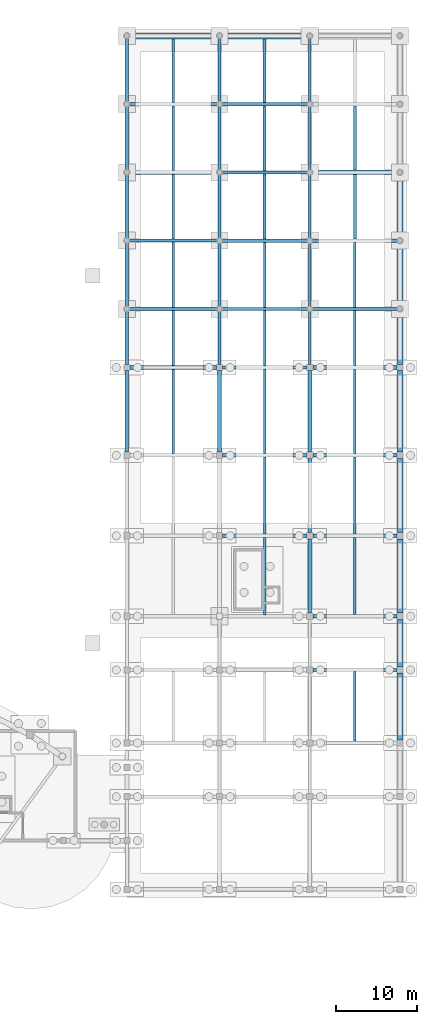
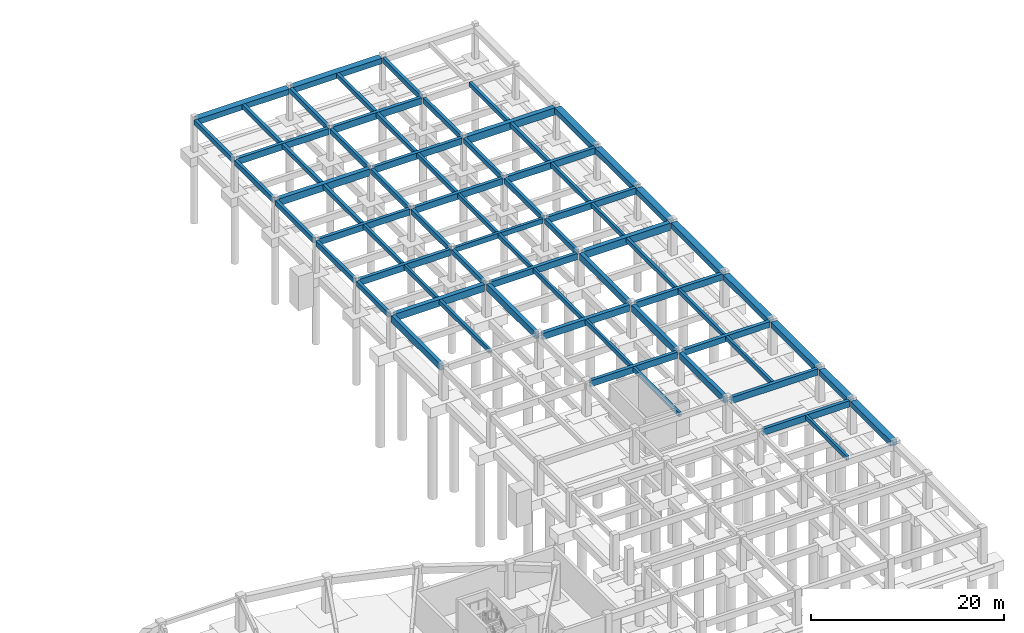
# One storey, part 13 of 28: 72 beams.
"""IFC4 building model written with IfcOpenShell, lengths in metres."""

from ifc_helpers import new_model, si_unit, direction, frame, origin, origin_2d, place, context, subcontext, project, spatial, rectangle, extrude, material, material_profile, profile_set, type_object, element, save


model = new_model("IFC4")

# Units and contexts
model_context = context("Model", 3, precision=1e-05, world=origin(), true_north=direction((0.0, 1.0)))
body_context = subcontext(model_context, "Body", "Model", "MODEL_VIEW")
ifc_project = project(units=[si_unit("LENGTHUNIT", "METRE"), si_unit("AREAUNIT", "SQUARE_METRE"), si_unit("VOLUMEUNIT", "CUBIC_METRE"), si_unit("PLANEANGLEUNIT", "RADIAN"), si_unit("MASSUNIT", "GRAM", prefix="KILO")], contexts=[model_context])

# Site, building, storey
site_placement = place(None, origin())
site = spatial("IfcSite", under=ifc_project, at=site_placement, CompositionType="ELEMENT")
building_placement = place(site_placement, origin())
building = spatial("IfcBuilding", under=site, at=building_placement, Name="Miralva Faculty of Natural Sciences", CompositionType="ELEMENT")
storey_placement = place(building_placement, frame((0.0, 0.0, -4.5)))
storey = spatial("IfcBuildingStorey", under=building, at=storey_placement, Name="B1", CompositionType="ELEMENT", Elevation=-4.5)

# Beams
ifc_material = material(Name="Concrete C40/50", Category="concrete")
ifc_material_profile_1 = material_profile(ifc_material, rectangle(XDim=0.449951171875, YDim=0.85009765625, at=origin_2d()), Name="RC 450x850")
ifc_profile_set_1 = profile_set([ifc_material_profile_1], Name="Concrete C40/50")
beam_type_1 = type_object("IfcBeamType", Name="BM-B01", PredefinedType="BEAM", material=ifc_profile_set_1)
for number, where, z_axis, x_axis, name in (
    (1, (133.800048828125, 65.77490234375, 3.794921875), (0.0, 1.0, 0.0), (-1.0, 0.0, 0.0), "Girder NS B1-178"),
    (2, (145.199951171875, 65.77490234375, 3.794921875), (0.0, 1.0, 0.0), (-1.0, 0.0, 0.0), "Girder NS B1-190"),
):
    element("IfcBeam", number, at=place(storey_placement, frame(where, z_axis=z_axis, x_axis=x_axis)), inside=storey, type_object=beam_type_1, Name=name, PredefinedType="BEAM", context=body_context, shape_type="SweptSolid", body=[
        extrude(rectangle(XDim=0.449951171875, YDim=0.85009765625, at=origin_2d()), origin(), (0.0, 0.0, 1.0), 10.050048828125),
    ])
for number, where, z_axis, x_axis, name in (
    (3, (156.300048828125, 45.97509765625, 3.794921875), (0.0, 1.0, 0.0), (-1.0, 0.0, 0.0), "Girder NS B1-200"),
    (4, (156.300048828125, 55.875, 3.794921875), (0.0, 1.0, 0.0), (-1.0, 0.0, 0.0), "Girder NS B1-201"),
):
    element("IfcBeam", number, at=place(storey_placement, frame(where, z_axis=z_axis, x_axis=x_axis)), inside=storey, type_object=beam_type_1, Name=name, PredefinedType="BEAM", context=body_context, shape_type="SweptSolid", body=[
        extrude(rectangle(XDim=0.449951171875, YDim=0.85009765625, at=origin_2d()), origin(), (0.0, 0.0, 1.0), 9.14990234375),
    ])
beam_1_placement = place(storey_placement, frame((156.300048828125, 65.77490234375, 3.794921875), z_axis=(0.0, 1.0, 0.0), x_axis=(-1.0, 0.0, 0.0)))
element("IfcBeam", 5, at=beam_1_placement, inside=storey, type_object=beam_type_1, Name="Girder NS B1-202", PredefinedType="BEAM", context=body_context, shape_type="SweptSolid", body=[
    extrude(rectangle(XDim=0.449951171875, YDim=0.85009765625, at=origin_2d()), origin(), (0.0, 0.0, 1.0), 10.050048828125),
])
ifc_material_profile_2 = material_profile(ifc_material, rectangle(XDim=0.39990234375, YDim=0.800048828125, at=origin_2d()), Name="RC 400x800")
ifc_profile_set_2 = profile_set([ifc_material_profile_2], Name="Concrete C40/50")
beam_type_2 = type_object("IfcBeamType", Name="BM-B02", PredefinedType="BEAM", material=ifc_profile_set_2)
for number, where, z_axis, x_axis, name in (
    (6, (156.675048828125, 39.0, 3.820068359375), (1.0, 0.0, 0.0), (0.0, 1.0, 0.0), "Girder EW B1-44"),
    (7, (156.675048828125, 45.60009765625, 3.820068359375), (1.0, 0.0, 0.0), (0.0, 1.0, 0.0), "Girder EW B1-50"),
):
    element("IfcBeam", number, at=place(storey_placement, frame(where, z_axis=z_axis, x_axis=x_axis)), inside=storey, type_object=beam_type_2, Name=name, PredefinedType="BEAM", context=body_context, shape_type="SweptSolid", body=[
        extrude(rectangle(XDim=0.39990234375, YDim=0.800048828125, at=origin_2d()), origin(), (0.0, 0.0, 1.0), 10.349853515625),
    ])
beam_2_placement = place(storey_placement, frame((145.574951171875, 55.5, 3.820068359375), z_axis=(1.0, 0.0, 0.0), x_axis=(0.0, 1.0, 0.0)))
element("IfcBeam", 8, at=beam_2_placement, inside=storey, type_object=beam_type_2, Name="Girder EW B1-54", PredefinedType="BEAM", context=body_context, shape_type="SweptSolid", body=[
    extrude(rectangle(XDim=0.39990234375, YDim=0.800048828125, at=origin_2d()), origin(), (0.0, 0.0, 1.0), 10.35009765625),
])
beam_3_placement = place(storey_placement, frame((156.675048828125, 65.39990234375, 3.820068359375), z_axis=(1.0, 0.0, 0.0), x_axis=(0.0, 1.0, 0.0)))
element("IfcBeam", 9, at=beam_3_placement, inside=storey, type_object=beam_type_2, Name="Girder EW B1-60", PredefinedType="BEAM", context=body_context, shape_type="SweptSolid", body=[
    extrude(rectangle(XDim=0.39990234375, YDim=0.800048828125, at=origin_2d()), origin(), (0.0, 0.0, 1.0), 10.349853515625),
])
beam_4_placement = place(storey_placement, frame((145.574951171875, 76.199951171875, 3.739990234375), z_axis=(1.0, 0.0, 0.0), x_axis=(0.0, 1.0, 0.0)))
element("IfcBeam", 10, at=beam_4_placement, inside=storey, type_object=beam_type_2, Name="Girder EW B1-64", PredefinedType="BEAM", context=body_context, shape_type="SweptSolid", body=[
    extrude(rectangle(XDim=0.39990234375, YDim=0.800048828125, at=origin_2d()), origin(), (0.0, 0.0, 1.0), 10.35009765625),
])
beam_5_placement = place(storey_placement, frame((134.074951171875, 83.39990234375, 3.739990234375), z_axis=(1.0, 0.0, 0.0), x_axis=(0.0, 1.0, 0.0)))
element("IfcBeam", 11, at=beam_5_placement, inside=storey, type_object=beam_type_2, Name="Girder EW B1-68", PredefinedType="BEAM", context=body_context, shape_type="SweptSolid", body=[
    extrude(rectangle(XDim=0.39990234375, YDim=0.800048828125, at=origin_2d()), origin(), (0.0, 0.0, 1.0), 10.85009765625),
])
beam_6_placement = place(storey_placement, frame((156.574951171875, 83.39990234375, 3.739990234375), z_axis=(1.0, 0.0, 0.0), x_axis=(0.0, 1.0, 0.0)))
element("IfcBeam", 12, at=beam_6_placement, inside=storey, type_object=beam_type_2, Name="Girder EW B1-70", PredefinedType="BEAM", context=body_context, shape_type="SweptSolid", body=[
    extrude(rectangle(XDim=0.39990234375, YDim=0.800048828125, at=origin_2d()), origin(), (0.0, 0.0, 1.0), 10.550048828125),
])
for number, where, z_axis, x_axis, name in (
    (13, (145.47509765625, 91.800048828125, 3.739990234375), (1.0, 0.0, 0.0), (0.0, 1.0, 0.0), "Girder EW B1-74"),
    (14, (145.47509765625, 100.199951171875, 3.739990234375), (1.0, 0.0, 0.0), (0.0, 1.0, 0.0), "Girder EW B1-86"),
):
    element("IfcBeam", number, at=place(storey_placement, frame(where, z_axis=z_axis, x_axis=x_axis)), inside=storey, type_object=beam_type_2, Name=name, PredefinedType="BEAM", context=body_context, shape_type="SweptSolid", body=[
        extrude(rectangle(XDim=0.39990234375, YDim=0.800048828125, at=origin_2d()), origin(), (0.0, 0.0, 1.0), 10.5498046875),
    ])
beam_7_placement = place(storey_placement, frame((134.074951171875, 108.60009765625, 3.739990234375), z_axis=(1.0, 0.0, 0.0), x_axis=(0.0, 1.0, 0.0)))
element("IfcBeam", 15, at=beam_7_placement, inside=storey, type_object=beam_type_2, Name="Girder EW B1-96", PredefinedType="BEAM", context=body_context, shape_type="SweptSolid", body=[
    extrude(rectangle(XDim=0.39990234375, YDim=0.800048828125, at=origin_2d()), origin(), (0.0, 0.0, 1.0), 10.85009765625),
])
ifc_material_profile_3 = material_profile(ifc_material, rectangle(XDim=0.35009765625, YDim=0.64990234375, at=origin_2d()), Name="RC 350x650")
ifc_profile_set_3 = profile_set([ifc_material_profile_3], Name="Concrete C40/50")
beam_type_3 = type_object("IfcBeamType", Name="BM-B05", PredefinedType="BEAM", material=ifc_profile_set_3)
beam_8_placement = place(storey_placement, frame((133.800048828125, 76.574951171875, 3.81494140625), z_axis=(0.0, 1.0, 0.0), x_axis=(-1.0, 0.0, 0.0)))
element("IfcBeam", 16, at=beam_8_placement, inside=storey, type_object=beam_type_3, Name="Girder NS B1-179", PredefinedType="BEAM", context=body_context, shape_type="SweptSolid", body=[
    extrude(rectangle(XDim=0.35009765625, YDim=0.64990234375, at=origin_2d()), origin(), (0.0, 0.0, 1.0), 6.550048828125),
])
beam_9_placement = place(storey_placement, frame((133.800048828125, 83.675048828125, 3.81494140625), z_axis=(0.0, 1.0, 0.0), x_axis=(-1.0, 0.0, 0.0)))
element("IfcBeam", 17, at=beam_9_placement, inside=storey, type_object=beam_type_3, Name="Girder NS B1-180", PredefinedType="BEAM", context=body_context, shape_type="SweptSolid", body=[
    extrude(rectangle(XDim=0.35009765625, YDim=0.64990234375, at=origin_2d()), origin(), (0.0, 0.0, 1.0), 7.849853515625),
])
beam_10_placement = place(storey_placement, frame((133.800048828125, 92.074951171875, 3.81494140625), z_axis=(0.0, 1.0, 0.0), x_axis=(-1.0, 0.0, 0.0)))
element("IfcBeam", 18, at=beam_10_placement, inside=storey, type_object=beam_type_3, Name="Girder NS B1-181", PredefinedType="BEAM", context=body_context, shape_type="SweptSolid", body=[
    extrude(rectangle(XDim=0.35009765625, YDim=0.64990234375, at=origin_2d()), origin(), (0.0, 0.0, 1.0), 7.85009765625),
])
beam_11_placement = place(storey_placement, frame((133.800048828125, 100.47509765625, 3.81494140625), z_axis=(0.0, 1.0, 0.0), x_axis=(-1.0, 0.0, 0.0)))
element("IfcBeam", 19, at=beam_11_placement, inside=storey, type_object=beam_type_3, Name="Girder NS B1-182", PredefinedType="BEAM", context=body_context, shape_type="SweptSolid", body=[
    extrude(rectangle(XDim=0.35009765625, YDim=0.64990234375, at=origin_2d()), origin(), (0.0, 0.0, 1.0), 7.849853515625),
])
beam_12_placement = place(storey_placement, frame((133.800048828125, 108.875, 3.81494140625), z_axis=(0.0, 1.0, 0.0), x_axis=(-1.0, 0.0, 0.0)))
element("IfcBeam", 20, at=beam_12_placement, inside=storey, type_object=beam_type_3, Name="Girder NS B1-183", PredefinedType="BEAM", context=body_context, shape_type="SweptSolid", body=[
    extrude(rectangle(XDim=0.35009765625, YDim=0.64990234375, at=origin_2d()), origin(), (0.0, 0.0, 1.0), 7.85009765625),
])
beam_13_placement = place(storey_placement, frame((145.199951171875, 76.574951171875, 3.81494140625), z_axis=(0.0, 1.0, 0.0), x_axis=(-1.0, 0.0, 0.0)))
element("IfcBeam", 21, at=beam_13_placement, inside=storey, type_object=beam_type_3, Name="Girder NS B1-191", PredefinedType="BEAM", context=body_context, shape_type="SweptSolid", body=[
    extrude(rectangle(XDim=0.35009765625, YDim=0.64990234375, at=origin_2d()), origin(), (0.0, 0.0, 1.0), 6.550048828125),
])
beam_14_placement = place(storey_placement, frame((145.199951171875, 83.675048828125, 3.81494140625), z_axis=(0.0, 1.0, 0.0), x_axis=(-1.0, 0.0, 0.0)))
element("IfcBeam", 22, at=beam_14_placement, inside=storey, type_object=beam_type_3, Name="Girder NS B1-192", PredefinedType="BEAM", context=body_context, shape_type="SweptSolid", body=[
    extrude(rectangle(XDim=0.35009765625, YDim=0.64990234375, at=origin_2d()), origin(), (0.0, 0.0, 1.0), 7.849853515625),
])
beam_15_placement = place(storey_placement, frame((145.199951171875, 92.074951171875, 3.81494140625), z_axis=(0.0, 1.0, 0.0), x_axis=(-1.0, 0.0, 0.0)))
element("IfcBeam", 23, at=beam_15_placement, inside=storey, type_object=beam_type_3, Name="Girder NS B1-193", PredefinedType="BEAM", context=body_context, shape_type="SweptSolid", body=[
    extrude(rectangle(XDim=0.35009765625, YDim=0.64990234375, at=origin_2d()), origin(), (0.0, 0.0, 1.0), 7.85009765625),
])
beam_16_placement = place(storey_placement, frame((145.199951171875, 100.47509765625, 3.81494140625), z_axis=(0.0, 1.0, 0.0), x_axis=(-1.0, 0.0, 0.0)))
element("IfcBeam", 24, at=beam_16_placement, inside=storey, type_object=beam_type_3, Name="Girder NS B1-194", PredefinedType="BEAM", context=body_context, shape_type="SweptSolid", body=[
    extrude(rectangle(XDim=0.35009765625, YDim=0.64990234375, at=origin_2d()), origin(), (0.0, 0.0, 1.0), 7.849853515625),
])
beam_17_placement = place(storey_placement, frame((145.199951171875, 108.875, 3.81494140625), z_axis=(0.0, 1.0, 0.0), x_axis=(-1.0, 0.0, 0.0)))
element("IfcBeam", 25, at=beam_17_placement, inside=storey, type_object=beam_type_3, Name="Girder NS B1-195", PredefinedType="BEAM", context=body_context, shape_type="SweptSolid", body=[
    extrude(rectangle(XDim=0.35009765625, YDim=0.64990234375, at=origin_2d()), origin(), (0.0, 0.0, 1.0), 7.85009765625),
])
beam_18_placement = place(storey_placement, frame((156.300048828125, 76.574951171875, 3.81494140625), z_axis=(0.0, 1.0, 0.0), x_axis=(-1.0, 0.0, 0.0)))
element("IfcBeam", 26, at=beam_18_placement, inside=storey, type_object=beam_type_3, Name="Girder NS B1-203", PredefinedType="BEAM", context=body_context, shape_type="SweptSolid", body=[
    extrude(rectangle(XDim=0.35009765625, YDim=0.64990234375, at=origin_2d()), origin(), (0.0, 0.0, 1.0), 6.550048828125),
])
beam_19_placement = place(storey_placement, frame((156.300048828125, 83.675048828125, 3.81494140625), z_axis=(0.0, 1.0, 0.0), x_axis=(-1.0, 0.0, 0.0)))
element("IfcBeam", 27, at=beam_19_placement, inside=storey, type_object=beam_type_3, Name="Girder NS B1-204", PredefinedType="BEAM", context=body_context, shape_type="SweptSolid", body=[
    extrude(rectangle(XDim=0.35009765625, YDim=0.64990234375, at=origin_2d()), origin(), (0.0, 0.0, 1.0), 7.849853515625),
])
beam_20_placement = place(storey_placement, frame((156.300048828125, 92.074951171875, 3.81494140625), z_axis=(0.0, 1.0, 0.0), x_axis=(-1.0, 0.0, 0.0)))
element("IfcBeam", 28, at=beam_20_placement, inside=storey, type_object=beam_type_3, Name="Girder NS B1-205", PredefinedType="BEAM", context=body_context, shape_type="SweptSolid", body=[
    extrude(rectangle(XDim=0.35009765625, YDim=0.64990234375, at=origin_2d()), origin(), (0.0, 0.0, 1.0), 7.85009765625),
])
beam_21_placement = place(storey_placement, frame((156.300048828125, 100.47509765625, 3.81494140625), z_axis=(0.0, 1.0, 0.0), x_axis=(-1.0, 0.0, 0.0)))
element("IfcBeam", 29, at=beam_21_placement, inside=storey, type_object=beam_type_3, Name="Girder NS B1-206", PredefinedType="BEAM", context=body_context, shape_type="SweptSolid", body=[
    extrude(rectangle(XDim=0.35009765625, YDim=0.64990234375, at=origin_2d()), origin(), (0.0, 0.0, 1.0), 7.849853515625),
])
beam_22_placement = place(storey_placement, frame((156.300048828125, 108.875, 3.81494140625), z_axis=(0.0, 1.0, 0.0), x_axis=(-1.0, 0.0, 0.0)))
element("IfcBeam", 30, at=beam_22_placement, inside=storey, type_object=beam_type_3, Name="Girder NS B1-207", PredefinedType="BEAM", context=body_context, shape_type="SweptSolid", body=[
    extrude(rectangle(XDim=0.35009765625, YDim=0.64990234375, at=origin_2d()), origin(), (0.0, 0.0, 1.0), 7.85009765625),
])
ifc_material_profile_4 = material_profile(ifc_material, rectangle(XDim=0.340087890625, YDim=0.6201171875, at=origin_2d()), Name="RC 340x620")
ifc_profile_set_4 = profile_set([ifc_material_profile_4], Name="Concrete C40/50")
beam_type_4 = type_object("IfcBeamType", Name="BM-BG03", PredefinedType="BEAM", material=ifc_profile_set_4)
beam_23_placement = place(storey_placement, frame((145.47509765625, 83.39990234375, 3.830078125), z_axis=(1.0, 0.0, 0.0), x_axis=(0.0, 1.0, 0.0)))
element("IfcBeam", 31, at=beam_23_placement, inside=storey, type_object=beam_type_4, Name="Girder EW B1-69", PredefinedType="BEAM", context=body_context, shape_type="SweptSolid", body=[
    extrude(rectangle(XDim=0.340087890625, YDim=0.6201171875, at=origin_2d()), origin(), (0.0, 0.0, 1.0), 10.5498046875),
])
ifc_material_profile_5 = material_profile(ifc_material, rectangle(XDim=0.3798828125, YDim=0.780029296875, at=origin_2d()), Name="RC 380x780")
ifc_profile_set_5 = profile_set([ifc_material_profile_5], Name="Concrete C40/50")
beam_type_5 = type_object("IfcBeamType", Name="BM-BG07", PredefinedType="BEAM", material=ifc_profile_set_5)
beam_24_placement = place(storey_placement, frame((134.074951171875, 91.800048828125, 3.75), z_axis=(1.0, 0.0, 0.0), x_axis=(0.0, 1.0, 0.0)))
element("IfcBeam", 32, at=beam_24_placement, inside=storey, type_object=beam_type_5, Name="Girder EW B1-73", PredefinedType="BEAM", context=body_context, shape_type="SweptSolid", body=[
    extrude(rectangle(XDim=0.3798828125, YDim=0.780029296875, at=origin_2d()), origin(), (0.0, 0.0, 1.0), 10.85009765625),
])
ifc_material_profile_6 = material_profile(ifc_material, rectangle(XDim=0.39990234375, YDim=0.840087890625, at=origin_2d()), Name="RC 400x840")
ifc_profile_set_6 = profile_set([ifc_material_profile_6], Name="Concrete C40/50")
beam_type_6 = type_object("IfcBeamType", Name="BM-BG09", PredefinedType="BEAM", material=ifc_profile_set_6)
beam_25_placement = place(storey_placement, frame((156.574951171875, 91.800048828125, 3.719970703125), z_axis=(1.0, 0.0, 0.0), x_axis=(0.0, 1.0, 0.0)))
element("IfcBeam", 33, at=beam_25_placement, inside=storey, type_object=beam_type_6, Name="Girder EW B1-75", PredefinedType="BEAM", context=body_context, shape_type="SweptSolid", body=[
    extrude(rectangle(XDim=0.39990234375, YDim=0.840087890625, at=origin_2d()), origin(), (0.0, 0.0, 1.0), 10.550048828125),
])
beam_26_placement = place(storey_placement, frame((145.47509765625, 108.60009765625, 3.719970703125), z_axis=(1.0, 0.0, 0.0), x_axis=(0.0, 1.0, 0.0)))
element("IfcBeam", 34, at=beam_26_placement, inside=storey, type_object=beam_type_6, Name="Girder EW B1-97", PredefinedType="BEAM", context=body_context, shape_type="SweptSolid", body=[
    extrude(rectangle(XDim=0.39990234375, YDim=0.840087890625, at=origin_2d()), origin(), (0.0, 0.0, 1.0), 10.5498046875),
])
ifc_material_profile_7 = material_profile(ifc_material, rectangle(XDim=0.419921875, YDim=0.739990234375, at=origin_2d()), Name="RC 420x740")
ifc_profile_set_7 = profile_set([ifc_material_profile_7], Name="Concrete C40/50")
beam_type_7 = type_object("IfcBeamType", Name="BM-BG11", PredefinedType="BEAM", material=ifc_profile_set_7)
beam_27_placement = place(storey_placement, frame((156.675048828125, 55.5, 3.85009765625), z_axis=(1.0, 0.0, 0.0), x_axis=(0.0, 1.0, 0.0)))
element("IfcBeam", 35, at=beam_27_placement, inside=storey, type_object=beam_type_7, Name="Girder EW B1-55", PredefinedType="BEAM", context=body_context, shape_type="SweptSolid", body=[
    extrude(rectangle(XDim=0.419921875, YDim=0.739990234375, at=origin_2d()), origin(), (0.0, 0.0, 1.0), 10.349853515625),
])
ifc_material_profile_8 = material_profile(ifc_material, rectangle(XDim=0.4599609375, YDim=0.820068359375, at=origin_2d()), Name="RC 460x820")
ifc_profile_set_8 = profile_set([ifc_material_profile_8], Name="Concrete C40/50")
beam_type_8 = type_object("IfcBeamType", Name="BM-BG15", PredefinedType="BEAM", material=ifc_profile_set_8)
beam_28_placement = place(storey_placement, frame((145.574951171875, 65.39990234375, 3.81005859375), z_axis=(1.0, 0.0, 0.0), x_axis=(0.0, 1.0, 0.0)))
element("IfcBeam", 36, at=beam_28_placement, inside=storey, type_object=beam_type_8, Name="Girder EW B1-59", PredefinedType="BEAM", context=body_context, shape_type="SweptSolid", body=[
    extrude(rectangle(XDim=0.4599609375, YDim=0.820068359375, at=origin_2d()), origin(), (0.0, 0.0, 1.0), 10.35009765625),
])
ifc_material_profile_9 = material_profile(ifc_material, rectangle(XDim=0.52001953125, YDim=0.8798828125, at=origin_2d()), Name="RC 520x880")
ifc_profile_set_9 = profile_set([ifc_material_profile_9], Name="Concrete C40/50")
beam_type_9 = type_object("IfcBeamType", Name="BM-BG19", PredefinedType="BEAM", material=ifc_profile_set_9)
beam_29_placement = place(storey_placement, frame((134.175048828125, 76.199951171875, 3.699951171875), z_axis=(1.0, 0.0, 0.0), x_axis=(0.0, 1.0, 0.0)))
element("IfcBeam", 37, at=beam_29_placement, inside=storey, type_object=beam_type_9, Name="Girder EW B1-63", PredefinedType="BEAM", context=body_context, shape_type="SweptSolid", body=[
    extrude(rectangle(XDim=0.52001953125, YDim=0.8798828125, at=origin_2d()), origin(), (0.0, 0.0, 1.0), 10.64990234375),
])
beam_30_placement = place(storey_placement, frame((134.074951171875, 100.199951171875, 3.699951171875), z_axis=(1.0, 0.0, 0.0), x_axis=(0.0, 1.0, 0.0)))
element("IfcBeam", 38, at=beam_30_placement, inside=storey, type_object=beam_type_9, Name="Girder EW B1-85", PredefinedType="BEAM", context=body_context, shape_type="SweptSolid", body=[
    extrude(rectangle(XDim=0.52001953125, YDim=0.8798828125, at=origin_2d()), origin(), (0.0, 0.0, 1.0), 10.85009765625),
])
ifc_material_profile_10 = material_profile(ifc_material, rectangle(XDim=0.5400390625, YDim=0.919921875, at=origin_2d()), Name="RC 540x920")
ifc_profile_set_10 = profile_set([ifc_material_profile_10], Name="Concrete C40/50")
beam_type_10 = type_object("IfcBeamType", Name="BM-BG21", PredefinedType="BEAM", material=ifc_profile_set_10)
beam_31_placement = place(storey_placement, frame((156.675048828125, 76.199951171875, 3.679931640625), z_axis=(1.0, 0.0, 0.0), x_axis=(0.0, 1.0, 0.0)))
element("IfcBeam", 39, at=beam_31_placement, inside=storey, type_object=beam_type_10, Name="Girder EW B1-65", PredefinedType="BEAM", context=body_context, shape_type="SweptSolid", body=[
    extrude(rectangle(XDim=0.5400390625, YDim=0.919921875, at=origin_2d()), origin(), (0.0, 0.0, 1.0), 10.349853515625),
])
beam_32_placement = place(storey_placement, frame((156.574951171875, 100.199951171875, 3.679931640625), z_axis=(1.0, 0.0, 0.0), x_axis=(0.0, 1.0, 0.0)))
element("IfcBeam", 40, at=beam_32_placement, inside=storey, type_object=beam_type_10, Name="Girder EW B1-87", PredefinedType="BEAM", context=body_context, shape_type="SweptSolid", body=[
    extrude(rectangle(XDim=0.5400390625, YDim=0.919921875, at=origin_2d()), origin(), (0.0, 0.0, 1.0), 10.550048828125),
])
ifc_material_profile_11 = material_profile(ifc_material, rectangle(XDim=0.300048828125, YDim=0.550048828125, at=origin_2d()), Name="RC 300x550")
ifc_profile_set_11 = profile_set([ifc_material_profile_11], Name="Concrete C40/50")
beam_type_11 = type_object("IfcBeamType", Name="BM-J02", PredefinedType="JOIST", material=ifc_profile_set_11)
beam_33_placement = place(storey_placement, frame((161.85009765625, 30.239990234375, 3.945068359375), z_axis=(0.0, 1.0, 0.0), x_axis=(-1.0, 0.0, 0.0)))
element("IfcBeam", 41, at=beam_33_placement, inside=storey, type_object=beam_type_11, Name="Floor joist B1-11", PredefinedType="JOIST", context=body_context, shape_type="SweptSolid", body=[
    extrude(rectangle(XDim=0.300048828125, YDim=0.550048828125, at=origin_2d()), origin(), (0.0, 0.0, 1.0), 8.56005859375),
])
beam_34_placement = place(storey_placement, frame((150.75, 45.780029296875, 3.945068359375), z_axis=(0.0, 1.0, 0.0), x_axis=(-1.0, 0.0, 0.0)))
element("IfcBeam", 42, at=beam_34_placement, inside=storey, type_object=beam_type_11, Name="Floor joist B1-15", PredefinedType="JOIST", context=body_context, shape_type="SweptSolid", body=[
    extrude(rectangle(XDim=0.300048828125, YDim=0.550048828125, at=origin_2d()), origin(), (0.0, 0.0, 1.0), 9.52001953125),
])
beam_35_placement = place(storey_placement, frame((161.85009765625, 45.800048828125, 3.945068359375), z_axis=(0.0, 1.0, 0.0), x_axis=(-1.0, 0.0, 0.0)))
element("IfcBeam", 43, at=beam_35_placement, inside=storey, type_object=beam_type_11, Name="Floor joist B1-16", PredefinedType="JOIST", context=body_context, shape_type="SweptSolid", body=[
    extrude(rectangle(XDim=0.300048828125, YDim=0.550048828125, at=origin_2d()), origin(), (0.0, 0.0, 1.0), 9.489990234375),
])
beam_36_placement = place(storey_placement, frame((150.75, 55.699951171875, 3.945068359375), z_axis=(0.0, 1.0, 0.0), x_axis=(-1.0, 0.0, 0.0)))
element("IfcBeam", 44, at=beam_36_placement, inside=storey, type_object=beam_type_11, Name="Floor joist B1-20", PredefinedType="JOIST", context=body_context, shape_type="SweptSolid", body=[
    extrude(rectangle(XDim=0.300048828125, YDim=0.550048828125, at=origin_2d()), origin(), (0.0, 0.0, 1.0), 9.469970703125),
])
beam_37_placement = place(storey_placement, frame((161.85009765625, 55.7099609375, 3.945068359375), z_axis=(0.0, 1.0, 0.0), x_axis=(-1.0, 0.0, 0.0)))
element("IfcBeam", 45, at=beam_37_placement, inside=storey, type_object=beam_type_11, Name="Floor joist B1-21", PredefinedType="JOIST", context=body_context, shape_type="SweptSolid", body=[
    extrude(rectangle(XDim=0.300048828125, YDim=0.550048828125, at=origin_2d()), origin(), (0.0, 0.0, 1.0), 9.489990234375),
])
beam_38_placement = place(storey_placement, frame((139.5, 65.60009765625, 3.864990234375), z_axis=(0.0, 1.0, 0.0), x_axis=(-1.0, 0.0, 0.0)))
element("IfcBeam", 46, at=beam_38_placement, inside=storey, type_object=beam_type_11, Name="Floor joist B1-23", PredefinedType="JOIST", context=body_context, shape_type="SweptSolid", body=[
    extrude(rectangle(XDim=0.300048828125, YDim=0.550048828125, at=origin_2d()), origin(), (0.0, 0.0, 1.0), 10.33984375),
])
beam_39_placement = place(storey_placement, frame((150.75, 65.6298828125, 3.864990234375), z_axis=(0.0, 1.0, 0.0), x_axis=(-1.0, 0.0, 0.0)))
element("IfcBeam", 47, at=beam_39_placement, inside=storey, type_object=beam_type_11, Name="Floor joist B1-24", PredefinedType="JOIST", context=body_context, shape_type="SweptSolid", body=[
    extrude(rectangle(XDim=0.300048828125, YDim=0.550048828125, at=origin_2d()), origin(), (0.0, 0.0, 1.0), 10.3701171875),
])
beam_40_placement = place(storey_placement, frame((161.85009765625, 65.60009765625, 3.864990234375), z_axis=(0.0, 1.0, 0.0), x_axis=(-1.0, 0.0, 0.0)))
element("IfcBeam", 48, at=beam_40_placement, inside=storey, type_object=beam_type_11, Name="Floor joist B1-25", PredefinedType="JOIST", context=body_context, shape_type="SweptSolid", body=[
    extrude(rectangle(XDim=0.300048828125, YDim=0.550048828125, at=origin_2d()), origin(), (0.0, 0.0, 1.0), 10.329833984375),
])
beam_41_placement = place(storey_placement, frame((139.5, 76.4599609375, 3.864990234375), z_axis=(0.0, 1.0, 0.0), x_axis=(-1.0, 0.0, 0.0)))
element("IfcBeam", 49, at=beam_41_placement, inside=storey, type_object=beam_type_11, Name="Floor joist B1-28", PredefinedType="JOIST", context=body_context, shape_type="SweptSolid", body=[
    extrude(rectangle(XDim=0.300048828125, YDim=0.550048828125, at=origin_2d()), origin(), (0.0, 0.0, 1.0), 6.739990234375),
])
beam_42_placement = place(storey_placement, frame((150.75, 76.39990234375, 3.864990234375), z_axis=(0.0, 1.0, 0.0), x_axis=(-1.0, 0.0, 0.0)))
element("IfcBeam", 50, at=beam_42_placement, inside=storey, type_object=beam_type_11, Name="Floor joist B1-29", PredefinedType="JOIST", context=body_context, shape_type="SweptSolid", body=[
    extrude(rectangle(XDim=0.300048828125, YDim=0.550048828125, at=origin_2d()), origin(), (0.0, 0.0, 1.0), 6.830078125),
])
beam_43_placement = place(storey_placement, frame((161.85009765625, 76.469970703125, 3.864990234375), z_axis=(0.0, 1.0, 0.0), x_axis=(-1.0, 0.0, 0.0)))
element("IfcBeam", 51, at=beam_43_placement, inside=storey, type_object=beam_type_11, Name="Floor joist B1-30", PredefinedType="JOIST", context=body_context, shape_type="SweptSolid", body=[
    extrude(rectangle(XDim=0.300048828125, YDim=0.550048828125, at=origin_2d()), origin(), (0.0, 0.0, 1.0), 6.72998046875),
])
beam_44_placement = place(storey_placement, frame((139.5, 83.60009765625, 3.864990234375), z_axis=(0.0, 1.0, 0.0), x_axis=(-1.0, 0.0, 0.0)))
element("IfcBeam", 52, at=beam_44_placement, inside=storey, type_object=beam_type_11, Name="Floor joist B1-33", PredefinedType="JOIST", context=body_context, shape_type="SweptSolid", body=[
    extrude(rectangle(XDim=0.300048828125, YDim=0.550048828125, at=origin_2d()), origin(), (0.0, 0.0, 1.0), 8.010009765625),
])
beam_45_placement = place(storey_placement, frame((150.75, 83.570068359375, 3.864990234375), z_axis=(0.0, 1.0, 0.0), x_axis=(-1.0, 0.0, 0.0)))
element("IfcBeam", 53, at=beam_45_placement, inside=storey, type_object=beam_type_11, Name="Floor joist B1-34", PredefinedType="JOIST", context=body_context, shape_type="SweptSolid", body=[
    extrude(rectangle(XDim=0.300048828125, YDim=0.550048828125, at=origin_2d()), origin(), (0.0, 0.0, 1.0), 8.030029296875),
])
beam_46_placement = place(storey_placement, frame((161.85009765625, 83.60009765625, 3.864990234375), z_axis=(0.0, 1.0, 0.0), x_axis=(-1.0, 0.0, 0.0)))
element("IfcBeam", 54, at=beam_46_placement, inside=storey, type_object=beam_type_11, Name="Floor joist B1-35", PredefinedType="JOIST", context=body_context, shape_type="SweptSolid", body=[
    extrude(rectangle(XDim=0.300048828125, YDim=0.550048828125, at=origin_2d()), origin(), (0.0, 0.0, 1.0), 8.0),
])
ifc_material_profile_12 = material_profile(ifc_material, rectangle(XDim=0.35009765625, YDim=0.550048828125, at=origin_2d()), Name="RC 350x550")
ifc_profile_set_12 = profile_set([ifc_material_profile_12], Name="Concrete C40/50")
beam_type_12 = type_object("IfcBeamType", Name="BM-J04", PredefinedType="JOIST", material=ifc_profile_set_12)
beam_47_placement = place(storey_placement, frame((139.5, 91.989990234375, 3.864990234375), z_axis=(0.0, 1.0, 0.0), x_axis=(-1.0, 0.0, 0.0)))
element("IfcBeam", 55, at=beam_47_placement, inside=storey, type_object=beam_type_12, Name="Floor joist B1-36", PredefinedType="JOIST", context=body_context, shape_type="SweptSolid", body=[
    extrude(rectangle(XDim=0.35009765625, YDim=0.550048828125, at=origin_2d()), origin(), (0.0, 0.0, 1.0), 7.949951171875),
])
beam_48_placement = place(storey_placement, frame((150.75, 92.0, 3.864990234375), z_axis=(0.0, 1.0, 0.0), x_axis=(-1.0, 0.0, 0.0)))
element("IfcBeam", 56, at=beam_48_placement, inside=storey, type_object=beam_type_12, Name="Floor joist B1-37", PredefinedType="JOIST", context=body_context, shape_type="SweptSolid", body=[
    extrude(rectangle(XDim=0.35009765625, YDim=0.550048828125, at=origin_2d()), origin(), (0.0, 0.0, 1.0), 8.0),
])
beam_49_placement = place(storey_placement, frame((161.85009765625, 92.0, 3.864990234375), z_axis=(0.0, 1.0, 0.0), x_axis=(-1.0, 0.0, 0.0)))
element("IfcBeam", 57, at=beam_49_placement, inside=storey, type_object=beam_type_12, Name="Floor joist B1-38", PredefinedType="JOIST", context=body_context, shape_type="SweptSolid", body=[
    extrude(rectangle(XDim=0.35009765625, YDim=0.550048828125, at=origin_2d()), origin(), (0.0, 0.0, 1.0), 7.929931640625),
])
beam_50_placement = place(storey_placement, frame((139.5, 100.4599609375, 3.864990234375), z_axis=(0.0, 1.0, 0.0), x_axis=(-1.0, 0.0, 0.0)))
element("IfcBeam", 58, at=beam_50_placement, inside=storey, type_object=beam_type_12, Name="Floor joist B1-45", PredefinedType="JOIST", context=body_context, shape_type="SweptSolid", body=[
    extrude(rectangle(XDim=0.35009765625, YDim=0.550048828125, at=origin_2d()), origin(), (0.0, 0.0, 1.0), 7.93994140625),
])
beam_51_placement = place(storey_placement, frame((150.75, 100.39990234375, 3.864990234375), z_axis=(0.0, 1.0, 0.0), x_axis=(-1.0, 0.0, 0.0)))
element("IfcBeam", 59, at=beam_51_placement, inside=storey, type_object=beam_type_12, Name="Floor joist B1-46", PredefinedType="JOIST", context=body_context, shape_type="SweptSolid", body=[
    extrude(rectangle(XDim=0.35009765625, YDim=0.550048828125, at=origin_2d()), origin(), (0.0, 0.0, 1.0), 8.0),
])
beam_52_placement = place(storey_placement, frame((161.85009765625, 100.469970703125, 3.864990234375), z_axis=(0.0, 1.0, 0.0), x_axis=(-1.0, 0.0, 0.0)))
element("IfcBeam", 60, at=beam_52_placement, inside=storey, type_object=beam_type_12, Name="Floor joist B1-47", PredefinedType="JOIST", context=body_context, shape_type="SweptSolid", body=[
    extrude(rectangle(XDim=0.35009765625, YDim=0.550048828125, at=origin_2d()), origin(), (0.0, 0.0, 1.0), 7.929931640625),
])
for number, where, z_axis, x_axis, name in (
    (61, (139.5, 108.800048828125, 3.864990234375), (0.0, 1.0, 0.0), (-1.0, 0.0, 0.0), "Floor joist B1-54"),
    (62, (150.75, 108.800048828125, 3.864990234375), (0.0, 1.0, 0.0), (-1.0, 0.0, 0.0), "Floor joist B1-55"),
):
    element("IfcBeam", number, at=place(storey_placement, frame(where, z_axis=z_axis, x_axis=x_axis)), inside=storey, type_object=beam_type_12, Name=name, PredefinedType="JOIST", context=body_context, shape_type="SweptSolid", body=[
        extrude(rectangle(XDim=0.35009765625, YDim=0.550048828125, at=origin_2d()), origin(), (0.0, 0.0, 1.0), 7.824951171875),
    ])
ifc_material_profile_13 = material_profile(ifc_material, rectangle(XDim=0.75, YDim=0.699951171875, at=origin_2d()), Name="RC 750x700")
ifc_profile_set_13 = profile_set([ifc_material_profile_13], Name="Concrete C40/50")
beam_type_13 = type_object("IfcBeamType", Name="BM-SP01", PredefinedType="SPANDREL", material=ifc_profile_set_13)
beam_53_placement = place(storey_placement, frame((134.074951171875, 117.0, 3.7900390625), z_axis=(1.0, 0.0, 0.0), x_axis=(0.0, 1.0, 0.0)))
element("IfcBeam", 63, at=beam_53_placement, inside=storey, type_object=beam_type_13, Name="Girder EW B1-108", PredefinedType="SPANDREL", context=body_context, shape_type="SweptSolid", body=[
    extrude(rectangle(XDim=0.75, YDim=0.699951171875, at=origin_2d()), origin(), (0.0, 0.0, 1.0), 10.85009765625),
])
beam_54_placement = place(storey_placement, frame((145.47509765625, 117.0, 3.7900390625), z_axis=(1.0, 0.0, 0.0), x_axis=(0.0, 1.0, 0.0)))
element("IfcBeam", 64, at=beam_54_placement, inside=storey, type_object=beam_type_13, Name="Girder EW B1-109", PredefinedType="SPANDREL", context=body_context, shape_type="SweptSolid", body=[
    extrude(rectangle(XDim=0.75, YDim=0.699951171875, at=origin_2d()), origin(), (0.0, 0.0, 1.0), 10.5498046875),
])
beam_55_placement = place(storey_placement, frame((167.39990234375, 30.375, 3.8701171875), z_axis=(0.0, 1.0, 0.0), x_axis=(-1.0, 0.0, 0.0)))
element("IfcBeam", 65, at=beam_55_placement, inside=storey, type_object=beam_type_13, Name="Girder NS B1-210", PredefinedType="SPANDREL", context=body_context, shape_type="SweptSolid", body=[
    extrude(rectangle(XDim=0.75, YDim=0.699951171875, at=origin_2d()), origin(), (0.0, 0.0, 1.0), 8.25),
])
beam_56_placement = place(storey_placement, frame((167.39990234375, 39.375, 3.8701171875), z_axis=(0.0, 1.0, 0.0), x_axis=(-1.0, 0.0, 0.0)))
element("IfcBeam", 66, at=beam_56_placement, inside=storey, type_object=beam_type_13, Name="Girder NS B1-211", PredefinedType="SPANDREL", context=body_context, shape_type="SweptSolid", body=[
    extrude(rectangle(XDim=0.75, YDim=0.699951171875, at=origin_2d()), origin(), (0.0, 0.0, 1.0), 5.85009765625),
])
for number, where, z_axis, x_axis, name in (
    (67, (167.39990234375, 45.97509765625, 3.8701171875), (0.0, 1.0, 0.0), (-1.0, 0.0, 0.0), "Girder NS B1-212"),
    (68, (167.39990234375, 55.875, 3.8701171875), (0.0, 1.0, 0.0), (-1.0, 0.0, 0.0), "Girder NS B1-213"),
):
    element("IfcBeam", number, at=place(storey_placement, frame(where, z_axis=z_axis, x_axis=x_axis)), inside=storey, type_object=beam_type_13, Name=name, PredefinedType="SPANDREL", context=body_context, shape_type="SweptSolid", body=[
        extrude(rectangle(XDim=0.75, YDim=0.699951171875, at=origin_2d()), origin(), (0.0, 0.0, 1.0), 9.14990234375),
    ])
beam_57_placement = place(storey_placement, frame((167.39990234375, 65.77490234375, 3.8701171875), z_axis=(0.0, 1.0, 0.0), x_axis=(-1.0, 0.0, 0.0)))
element("IfcBeam", 69, at=beam_57_placement, inside=storey, type_object=beam_type_13, Name="Girder NS B1-214", PredefinedType="SPANDREL", context=body_context, shape_type="SweptSolid", body=[
    extrude(rectangle(XDim=0.75, YDim=0.699951171875, at=origin_2d()), origin(), (0.0, 0.0, 1.0), 10.050048828125),
])
beam_58_placement = place(storey_placement, frame((167.39990234375, 76.574951171875, 3.7900390625), z_axis=(0.0, 1.0, 0.0), x_axis=(-1.0, 0.0, 0.0)))
element("IfcBeam", 70, at=beam_58_placement, inside=storey, type_object=beam_type_13, Name="Girder NS B1-215", PredefinedType="SPANDREL", context=body_context, shape_type="SweptSolid", body=[
    extrude(rectangle(XDim=0.75, YDim=0.699951171875, at=origin_2d()), origin(), (0.0, 0.0, 1.0), 6.550048828125),
])
beam_59_placement = place(storey_placement, frame((167.39990234375, 83.675048828125, 3.7900390625), z_axis=(0.0, 1.0, 0.0), x_axis=(-1.0, 0.0, 0.0)))
element("IfcBeam", 71, at=beam_59_placement, inside=storey, type_object=beam_type_13, Name="Girder NS B1-216", PredefinedType="SPANDREL", context=body_context, shape_type="SweptSolid", body=[
    extrude(rectangle(XDim=0.75, YDim=0.699951171875, at=origin_2d()), origin(), (0.0, 0.0, 1.0), 7.849853515625),
])
beam_60_placement = place(storey_placement, frame((167.39990234375, 92.074951171875, 3.7900390625), z_axis=(0.0, 1.0, 0.0), x_axis=(-1.0, 0.0, 0.0)))
element("IfcBeam", 72, at=beam_60_placement, inside=storey, type_object=beam_type_13, Name="Girder NS B1-217", PredefinedType="SPANDREL", context=body_context, shape_type="SweptSolid", body=[
    extrude(rectangle(XDim=0.75, YDim=0.699951171875, at=origin_2d()), origin(), (0.0, 0.0, 1.0), 7.85009765625),
])

save(model, "model.ifc")
